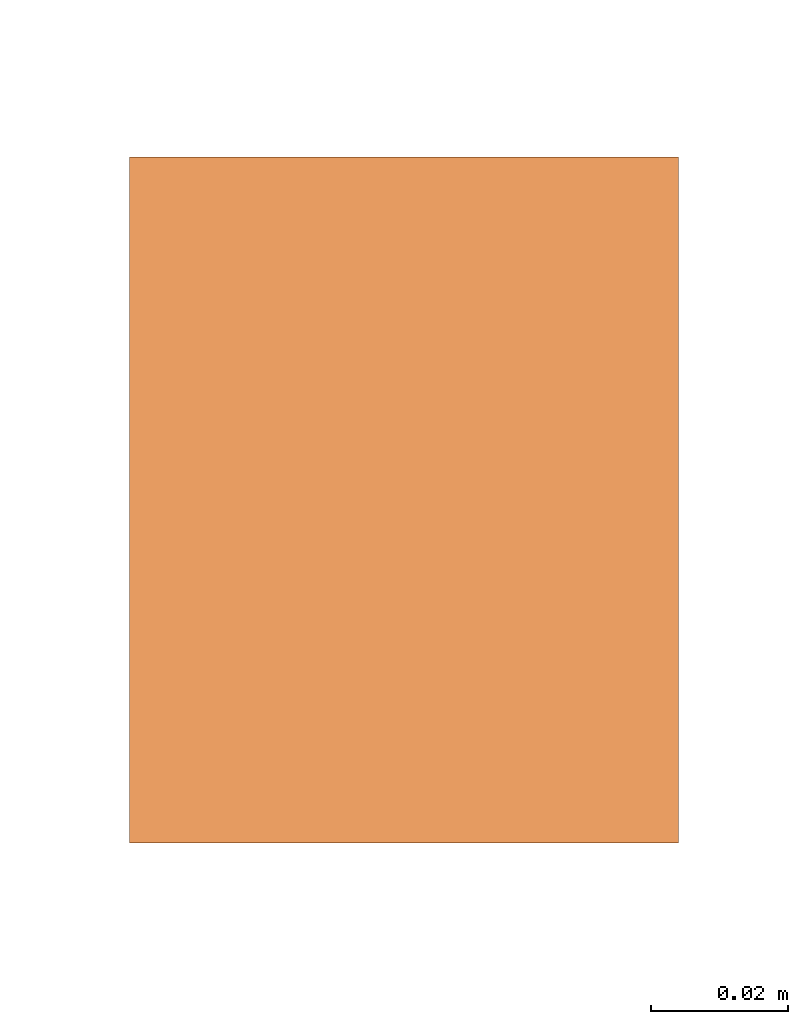
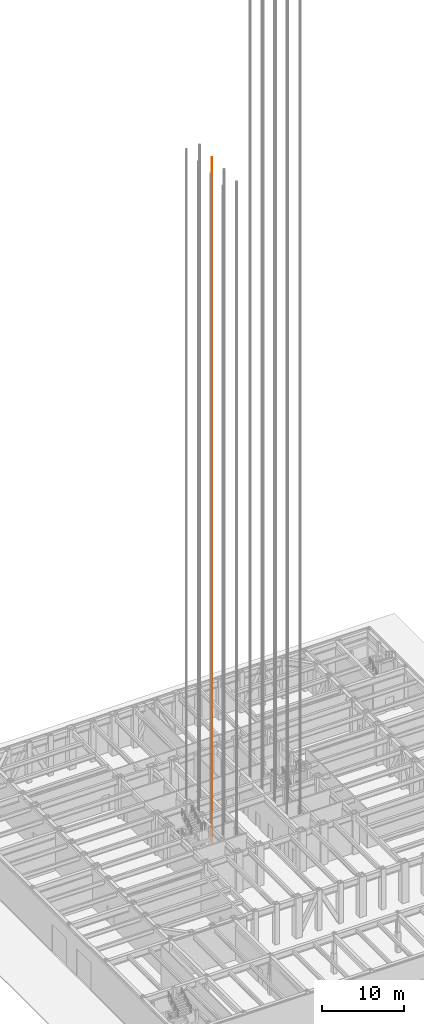
# One storey, part 25 of 35: 1 proxy.
"""IFC4 building model written with IfcOpenShell, lengths in metres."""

from ifc_helpers import new_model, si_unit, direction, frame, origin, origin_2d, place, context, subcontext, project, spatial, rectangle, extrude, material, type_object, element, save


model = new_model("IFC4")

# Units and contexts
model_context = context("Model", 3, precision=1e-05, world=origin(), true_north=direction((0.0, 1.0)))
body_context = subcontext(model_context, "Body", "Model", "MODEL_VIEW")
ifc_project = project(units=[si_unit("LENGTHUNIT", "METRE"), si_unit("AREAUNIT", "SQUARE_METRE"), si_unit("VOLUMEUNIT", "CUBIC_METRE"), si_unit("PLANEANGLEUNIT", "RADIAN"), si_unit("MASSUNIT", "GRAM", prefix="KILO")], contexts=[model_context])

# Site, building, storey
site_placement = place(None, origin())
site = spatial("IfcSite", under=ifc_project, at=site_placement, CompositionType="ELEMENT")
building_placement = place(site_placement, origin())
building = spatial("IfcBuilding", under=site, at=building_placement, Name="Chuquiago Exchange Tower", CompositionType="ELEMENT")
storey_placement = place(building_placement, origin())
storey = spatial("IfcBuildingStorey", under=building, at=storey_placement, Name="L00", CompositionType="ELEMENT", Elevation=0.0)

# Proxy
ifc_material = material(Name="Galvanised steel guide rail", Category="steel")
building_element_proxy_type = type_object("IfcBuildingElementProxyType", Name="LR lift guide rail", PredefinedType="NOTDEFINED", material=ifc_material)
proxy_placement = place(storey_placement, frame((18.93505859375, 22.5, 0.0), z_axis=(0.0, 0.0, 1.0), x_axis=(1.0, 0.0, 0.0)))
element("IfcBuildingElementProxy", 1, at=proxy_placement, inside=storey, type_object=building_element_proxy_type, Name="Lift LA3 guide rail E", PredefinedType="NOTDEFINED", context=body_context, shape_type="SweptSolid", body=[
    extrude(rectangle(XDim=0.080078125, YDim=0.10009765625, at=origin_2d()), origin(), (0.0, 0.0, 1.0), 102.300048828125),
])

save(model, "model.ifc")
